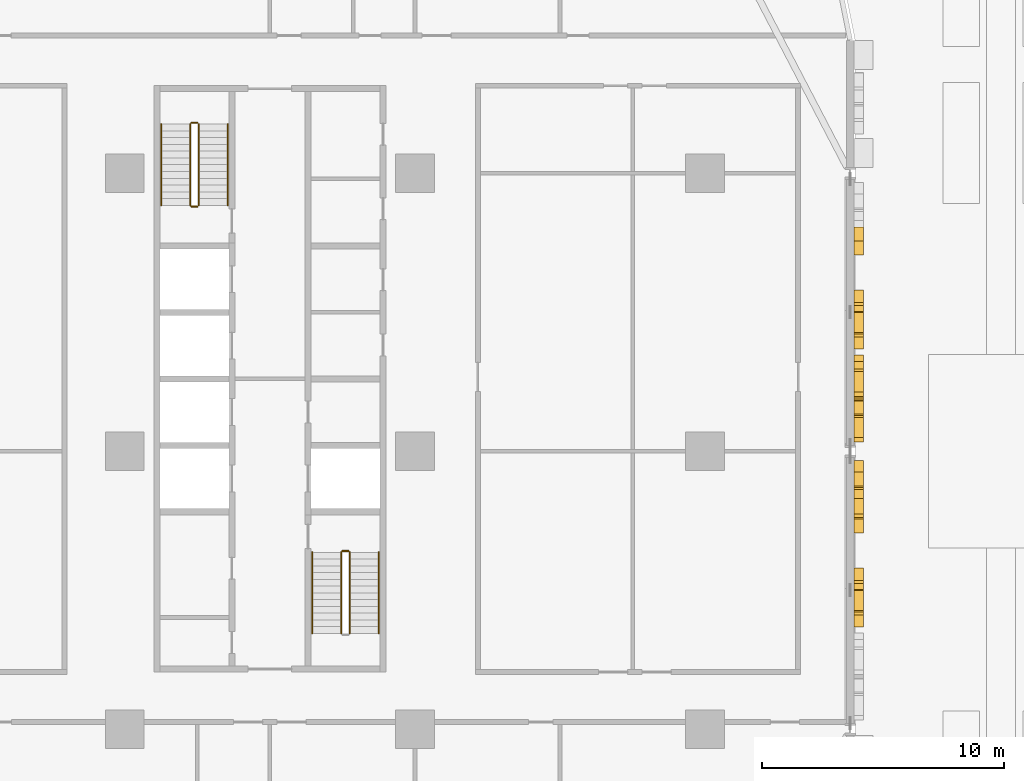
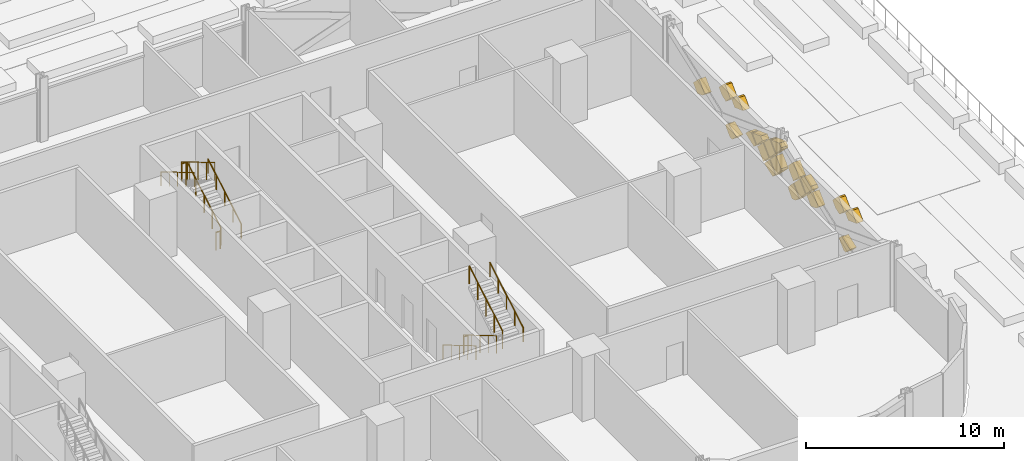
# One storey, part 37 of 39: 19 coverings, 11 railings.
"""IFC4 building model written with IfcOpenShell, lengths in metres."""

from ifc_helpers import new_model, si_unit, direction, frame, origin, origin_2d, place, context, subcontext, project, spatial, polyline, circle, outline, extrude, material, layer, layer_set, type_object, element, save


model = new_model("IFC4")

# Units and contexts
model_context = context("Model", 3, precision=1e-05, world=origin(), true_north=direction((0.0, 1.0)))
body_context = subcontext(model_context, "Body", "Model", "MODEL_VIEW")
ifc_project = project(units=[si_unit("LENGTHUNIT", "METRE"), si_unit("AREAUNIT", "SQUARE_METRE"), si_unit("VOLUMEUNIT", "CUBIC_METRE"), si_unit("PLANEANGLEUNIT", "RADIAN"), si_unit("MASSUNIT", "GRAM", prefix="KILO")], contexts=[model_context])

# Site, building, storey
site_placement = place(None, origin())
site = spatial("IfcSite", under=ifc_project, at=site_placement, CompositionType="ELEMENT")
building_placement = place(site_placement, origin())
building = spatial("IfcBuilding", under=site, at=building_placement, Name="Mahtab Terrace Research Tower", CompositionType="ELEMENT")
storey_placement = place(building_placement, frame((0.0, 0.0, 7.199951171875)))
storey = spatial("IfcBuildingStorey", under=building, at=storey_placement, Name="L01", CompositionType="ELEMENT", Elevation=7.199951171875)

# Coverings
ifc_material_1 = material(Name="Bronze anodised aluminium", Category="aluminium")
ifc_layer = layer(ifc_material_1, 0.39990234375)
ifc_layer_set = layer_set([ifc_layer], Name="Mashrabiya relief panel 400")
covering_type = type_object("IfcCoveringType", Name="Mashrabiya relief panel 400", PredefinedType="CLADDING", material=ifc_layer_set)
covering_1_placement = place(storey_placement, frame((48.14990234375, -6.12109375, 2.550048828125), z_axis=(-1.0, 0.0, 0.0), x_axis=(0.0, -0.707106781187, -0.707106781187)))
element("IfcCovering", 1, at=covering_1_placement, inside=storey, type_object=covering_type, Name="Mashrabiya lattice cell L01 E34.8", PredefinedType="CLADDING", context=body_context, shape_type="SweptSolid", body=[
    extrude(outline(polyline([(0.0, 0.0), (0.4170825154655027, 0.0), (0.7904887575813481, 0.820181718119455), (0.08752518019081534, 0.820181718119455), (-0.0001726334915005956, 0.732483904437139), (0.0, 0.0)])), origin(), (0.0, 0.0, -1.0), 0.39990234375),
])
covering_2_placement = place(storey_placement, frame((48.14990234375, -6.577880859375, 0.547119140625), z_axis=(-1.0, 0.0, 0.0), x_axis=(0.0, 0.936567319368, 0.350487740572)))
element("IfcCovering", 2, at=covering_2_placement, inside=storey, type_object=covering_type, Name="Mashrabiya lattice cell L01 E34.9", PredefinedType="CLADDING", context=body_context, shape_type="SweptSolid", body=[
    extrude(outline(polyline([(0.0, 0.0), (0.8839523248935043, 0.0), (0.9121147458943312, 0.024354935260809507), (1.0552861488575462, 0.3383487078732928), (0.4566924259117723, 0.6109272229142655), (0.24130023478749, 0.5303218880464642), (0.0, 0.0)])), origin(), (0.0, 0.0, -1.0), 0.39990234375),
])
covering_3_placement = place(storey_placement, frame((48.14990234375, -5.98095703125, 2.550048828125), z_axis=(-1.0, 0.0, 0.0), x_axis=(0.0, 0.707106781187, 0.707106781187)))
element("IfcCovering", 3, at=covering_3_placement, inside=storey, type_object=covering_type, Name="Mashrabiya lattice cell L01 E34.10", PredefinedType="CLADDING", context=body_context, shape_type="SweptSolid", body=[
    extrude(outline(polyline([(0.0, 0.0), (0.7326565379286396, 0.0), (0.820181718119455, 0.08752518019081534), (0.820181718119455, 0.820181718119455), (0.3761683779798553, 0.8201817181194551), (0.0, 0.6491019280423386), (0.0, 0.0)])), origin(), (0.0, 0.0, -1.0), 0.39990234375),
])
covering_4_placement = place(storey_placement, frame((48.14990234375, -3.381103515625, 1.25), z_axis=(-1.0, 0.0, 0.0), x_axis=(0.0, 0.707106781187, 0.707106781187)))
element("IfcCovering", 4, at=covering_4_placement, inside=storey, type_object=covering_type, Name="Mashrabiya lattice cell L01 E34.11", PredefinedType="CLADDING", context=body_context, shape_type="SweptSolid", body=[
    extrude(outline(polyline([(0.0, 0.0), (0.8203543516109556, 0.0), (0.8203543516109556, 0.8203543516109556), (0.2404784536603664, 0.8201817181194551), (0.0, 0.29278640158505487), (0.0, 0.0)])), origin(), (0.0, 0.0, -1.0), 0.39990234375),
])
covering_5_placement = place(storey_placement, frame((48.14990234375, -1.571044921875, 1.900146484375), z_axis=(-1.0, 0.0, 0.0), x_axis=(0.0, -0.706957932274, -0.707255598772)))
element("IfcCovering", 5, at=covering_5_placement, inside=storey, type_object=covering_type, Name="Mashrabiya lattice cell L01 E34.12", PredefinedType="CLADDING", context=body_context, shape_type="SweptSolid", body=[
    extrude(outline(polyline([(0.0, 0.0), (0.8201817362875763, 0.0), (0.8200090664636573, 0.8203543334390104), (0.6263142932905577, 0.8203135641750295), (-0.00011249700649262895, 0.534473277846628), (0.0, 0.0)])), origin(), (0.0, 0.0, -1.0), 0.39990234375),
])
covering_6_placement = place(storey_placement, frame((48.14990234375, -1.5009765625, 1.830078125), z_axis=(-1.0, 0.0, 0.0), x_axis=(0.0, 0.707106781187, -0.707106781187)))
element("IfcCovering", 6, at=covering_6_placement, inside=storey, type_object=covering_type, Name="Mashrabiya lattice cell L01 E34.13", PredefinedType="CLADDING", context=body_context, shape_type="SweptSolid", body=[
    extrude(outline(polyline([(0.0, 0.0), (0.8203543516109556, 0.0), (0.820181718119455, 0.820181718119455), (0.0, 0.8203543516109556), (0.0, 0.0)])), origin(), (0.0, 0.0, -1.0), 0.39990234375),
])
covering_7_placement = place(storey_placement, frame((48.14990234375, -1.430908203125, 0.60009765625), z_axis=(-1.0, 0.0, 0.0), x_axis=(0.0, 0.707106781187, 0.707106781187)))
element("IfcCovering", 7, at=covering_7_placement, inside=storey, type_object=covering_type, Name="Mashrabiya lattice cell L01 E34.14", PredefinedType="CLADDING", context=body_context, shape_type="SweptSolid", body=[
    extrude(outline(polyline([(0.0, 0.0), (0.8200090846279543, 0.0), (0.8201817181194551, 0.660323104989879), (0.660323104989879, 0.8201817181194551), (0.16244811550208527, 0.820181718119455), (0.0, 0.4709441648136967), (0.0, 0.0)])), origin(), (0.0, 0.0, -1.0), 0.39990234375),
])
covering_8_placement = place(storey_placement, frame((48.14990234375, -0.85107421875, 1.320068359375), z_axis=(-1.0, 0.0, 0.0), x_axis=(0.0, -0.706957932274, 0.707255598772)))
element("IfcCovering", 8, at=covering_8_placement, inside=storey, type_object=covering_type, Name="Mashrabiya lattice cell L01 E34.15", PredefinedType="CLADDING", context=body_context, shape_type="SweptSolid", body=[
    extrude(outline(polyline([(0.0, 0.0), (0.8201817362875763, 0.0), (0.8203543334390104, 0.8200090664636573), (0.15985860958849407, 0.8201480889271073), (0.00013902246344993374, 0.6604957238505165), (0.0, 0.0)])), origin(), (0.0, 0.0, -1.0), 0.39990234375),
])
covering_9_placement = place(storey_placement, frame((48.14990234375, 0.89892578125, 1.830078125), z_axis=(-1.0, 0.0, 0.0), x_axis=(0.0, 0.707106781187, -0.707106781187)))
element("IfcCovering", 9, at=covering_9_placement, inside=storey, type_object=covering_type, Name="Mashrabiya lattice cell L01 E35.1", PredefinedType="CLADDING", context=body_context, shape_type="SweptSolid", body=[
    extrude(outline(polyline([(0.0, 0.0), (0.8203543516109556, 0.0), (0.820181718119455, 0.820181718119455), (0.0920136509698315, 0.820181718119455), (0.0001726334915005956, 0.728340700641124), (0.0, 0.0)])), origin(), (0.0, 0.0, -1.0), 0.39990234375),
])
covering_10_placement = place(storey_placement, frame((48.14990234375, 0.89892578125, 1.969970703125), z_axis=(-1.0, 0.0, 0.0), x_axis=(0.0, -0.706939160764, 0.707274361884)))
element("IfcCovering", 10, at=covering_10_placement, inside=storey, type_object=covering_type, Name="Mashrabiya lattice cell L01 E35.2", PredefinedType="CLADDING", context=body_context, shape_type="SweptSolid", body=[
    extrude(outline(polyline([(0.0, 0.0), (0.728340721100177, 5.551115123125783e-17), (0.8202035044307674, 0.09181924646645268), (0.820436819467716, 0.3478346662523084), (0.00017095584433024502, 0.721262707229366), (0.0, 0.0)])), origin(), (0.0, 0.0, -1.0), 0.39990234375),
])
covering_11_placement = place(storey_placement, frame((48.14990234375, 0.968994140625, 0.60009765625), z_axis=(-1.0, 0.0, 0.0), x_axis=(0.0, 0.707255598772, 0.706957932274)))
element("IfcCovering", 11, at=covering_11_placement, inside=storey, type_object=covering_type, Name="Mashrabiya lattice cell L01 E35.3", PredefinedType="CLADDING", context=body_context, shape_type="SweptSolid", body=[
    extrude(outline(polyline([(0.0, 0.0), (0.8201817362875763, 0.0), (0.8203430692038642, 0.7664926852839239), (8.277396020356376e-05, 0.3932590849272024), (0.0, 0.0)])), origin(), (0.0, 0.0, -1.0), 0.39990234375),
])
covering_12_placement = place(storey_placement, frame((48.14990234375, 2.12890625, 1.900146484375), z_axis=(-1.0, 0.0, 0.0), x_axis=(0.0, -0.706957932274, -0.707255598772)))
element("IfcCovering", 12, at=covering_12_placement, inside=storey, type_object=covering_type, Name="Mashrabiya lattice cell L01 E35.4", PredefinedType="CLADDING", context=body_context, shape_type="SweptSolid", body=[
    extrude(outline(polyline([(0.0, 0.0), (0.8201817362875763, 0.0), (0.8200090664636573, 0.8203543334390104), (0.0535163811797334, 0.8201930005227225), (-0.00014788850659724906, 0.7026182948435968), (0.0, 0.0)])), origin(), (0.0, 0.0, -1.0), 0.39990234375),
])
covering_13_placement = place(storey_placement, frame((48.14990234375, 1.618896484375, 1.25), z_axis=(-1.0, 0.0, 0.0), x_axis=(0.0, 0.707106781187, 0.707106781187)))
element("IfcCovering", 13, at=covering_13_placement, inside=storey, type_object=covering_type, Name="Mashrabiya lattice cell L01 E35.5", PredefinedType="CLADDING", context=body_context, shape_type="SweptSolid", body=[
    extrude(outline(polyline([(0.0, 0.0), (0.8203543516109556, 0.0), (0.8203543516109556, 0.8203543516109556), (0.0001726334915005956, 0.8118953105274251), (0.0, 0.0)])), origin(), (0.0, 0.0, -1.0), 0.39990234375),
])
covering_14_placement = place(storey_placement, frame((48.14990234375, 2.84912109375, 1.320068359375), z_axis=(-1.0, 0.0, 0.0), x_axis=(0.0, -0.707106781187, 0.707106781187)))
element("IfcCovering", 14, at=covering_14_placement, inside=storey, type_object=covering_type, Name="Mashrabiya lattice cell L01 E35.6", PredefinedType="CLADDING", context=body_context, shape_type="SweptSolid", body=[
    extrude(outline(polyline([(0.0, 0.0), (0.8203543516109556, 0.0), (0.8203543516109555, 0.2658555769109578), (0.0, 0.6390891855353025), (0.0, 0.0)])), origin(), (0.0, 0.0, -1.0), 0.39990234375),
])
covering_15_placement = place(storey_placement, frame((48.14990234375, 2.9189453125, 1.25), z_axis=(-1.0, 0.0, 0.0), x_axis=(0.0, 0.707106781187, 0.707106781187)))
element("IfcCovering", 15, at=covering_15_placement, inside=storey, type_object=covering_type, Name="Mashrabiya lattice cell L01 E35.7", PredefinedType="CLADDING", context=body_context, shape_type="SweptSolid", body=[
    extrude(outline(polyline([(0.0, 0.0), (0.6846644272914667, 0.0), (0.8203543516109556, 0.2969296053810698), (0.820181718119455, 0.684491793799966), (0.0, 0.3110855516841208), (0.0, 0.0)])), origin(), (0.0, 0.0, -1.0), 0.39990234375),
])
covering_16_placement = place(storey_placement, frame((48.14990234375, 5.37890625, 2.550048828125), z_axis=(-1.0, 0.0, 0.0), x_axis=(0.0, -0.707106781187, -0.707106781187)))
element("IfcCovering", 16, at=covering_16_placement, inside=storey, type_object=covering_type, Name="Mashrabiya lattice cell L01 E35.8", PredefinedType="CLADDING", context=body_context, shape_type="SweptSolid", body=[
    extrude(outline(polyline([(0.0, 0.0), (0.4170825154655027, 0.0), (0.7904887575813481, 0.820181718119455), (0.08752518019081534, 0.820181718119455), (-0.0001726334915005956, 0.732483904437139), (0.0, 0.0)])), origin(), (0.0, 0.0, -1.0), 0.39990234375),
])
covering_17_placement = place(storey_placement, frame((48.14990234375, 4.922119140625, 0.547119140625), z_axis=(-1.0, 0.0, 0.0), x_axis=(0.0, 0.936567319368, 0.350487740572)))
element("IfcCovering", 17, at=covering_17_placement, inside=storey, type_object=covering_type, Name="Mashrabiya lattice cell L01 E35.9", PredefinedType="CLADDING", context=body_context, shape_type="SweptSolid", body=[
    extrude(outline(polyline([(0.0, 0.0), (0.8839523248935043, 0.0), (0.9121147458943312, 0.024354935260809507), (1.0552861488575462, 0.3383487078732928), (0.4566924259117723, 0.6109272229142655), (0.24130023478749, 0.5303218880464642), (0.0, 0.0)])), origin(), (0.0, 0.0, -1.0), 0.39990234375),
])
covering_18_placement = place(storey_placement, frame((48.14990234375, 5.51904296875, 2.550048828125), z_axis=(-1.0, 0.0, 0.0), x_axis=(0.0, 0.707106781187, 0.707106781187)))
element("IfcCovering", 18, at=covering_18_placement, inside=storey, type_object=covering_type, Name="Mashrabiya lattice cell L01 E35.10", PredefinedType="CLADDING", context=body_context, shape_type="SweptSolid", body=[
    extrude(outline(polyline([(0.0, 0.0), (0.7326565379286396, 0.0), (0.820181718119455, 0.08752518019081534), (0.820181718119455, 0.820181718119455), (0.3761683779798553, 0.8201817181194551), (0.0, 0.6491019280423386), (0.0, 0.0)])), origin(), (0.0, 0.0, -1.0), 0.39990234375),
])
covering_19_placement = place(storey_placement, frame((48.14990234375, 8.118896484375, 1.25), z_axis=(-1.0, 0.0, 0.0), x_axis=(0.0, 0.707106781187, 0.707106781187)))
element("IfcCovering", 19, at=covering_19_placement, inside=storey, type_object=covering_type, Name="Mashrabiya lattice cell L01 E35.11", PredefinedType="CLADDING", context=body_context, shape_type="SweptSolid", body=[
    extrude(outline(polyline([(0.0, 0.0), (0.8203543516109556, 0.0), (0.8203543516109556, 0.8203543516109556), (0.2404784536603664, 0.8201817181194551), (0.0, 0.29278640158505487), (0.0, 0.0)])), origin(), (0.0, 0.0, -1.0), 0.39990234375),
])

# Railings
ifc_material_2 = material(Name="Stainless steel AISI 304", Category="steel")
railing_type_1 = type_object("IfcRailingType", Name="Stair guard 1100", PredefinedType="GUARDRAIL", material=ifc_material_2)
railing_1_placement = place(storey_placement, frame((21.050048828125, 10.175048828125, 0.16552734375)))
element("IfcRailing", 20, at=railing_1_placement, inside=storey, type_object=railing_type_1, Name="L01 ST3 stair guard 1", PredefinedType="GUARDRAIL", context=body_context, shape_type="SweptSolid", body=[
    extrude(circle(Radius=0.02392578125, at=origin_2d()), frame((0.0, 0.0, 1.076171875), z_axis=(0.0, 0.861011212953, 0.508585972249), x_axis=(-1.0, 0.0, 0.0)), (0.0, 0.0, 1.0), 3.90234375),
    extrude(circle(Radius=0.02099609375, at=origin_2d()), origin(), (0.0, 0.0, 1.0), 1.052001953125),
    extrude(circle(Radius=0.02099609375, at=origin_2d()), frame((0.0, 0.83984375, 0.49609375)), (0.0, 0.0, 1.0), 1.052001953125),
    extrude(circle(Radius=0.02099609375, at=origin_2d()), frame((0.0, 1.679931640625, 0.9921875)), (0.0, 0.0, 1.0), 1.052001953125),
    extrude(circle(Radius=0.02099609375, at=origin_2d()), frame((0.0, 2.52001953125, 1.488525390625)), (0.0, 0.0, 1.0), 1.052001953125),
    extrude(circle(Radius=0.02099609375, at=origin_2d()), frame((0.0, 3.35986328125, 1.984619140625)), (0.0, 0.0, 1.0), 1.052001953125),
])
railing_2_placement = place(storey_placement, frame((21.0, 13.5849609375, 2.150146484375)))
element("IfcRailing", 21, at=railing_2_placement, inside=storey, type_object=railing_type_1, Name="L01 ST3 stair guard 2", PredefinedType="GUARDRAIL", context=body_context, shape_type="SweptSolid", body=[
    extrude(circle(Radius=0.02392578125, at=origin_2d()), frame((0.0, 0.0, 1.076171875), z_axis=(-1.0, 0.0, 0.0), x_axis=(0.0, -1.0, 0.0)), (0.0, 0.0, 1.0), 0.25),
    extrude(circle(Radius=0.02099609375, at=origin_2d()), origin(), (0.0, 0.0, 1.0), 1.052001953125),
    extrude(circle(Radius=0.02099609375, at=origin_2d()), frame((-0.25, 0.0, 0.0)), (0.0, 0.0, 1.0), 1.052001953125),
])
railing_3_placement = place(storey_placement, frame((20.699951171875, 13.534912109375, 2.3154296875)))
element("IfcRailing", 22, at=railing_3_placement, inside=storey, type_object=railing_type_1, Name="L01 ST3 stair guard 3", PredefinedType="GUARDRAIL", context=body_context, shape_type="SweptSolid", body=[
    extrude(circle(Radius=0.02392578125, at=origin_2d()), frame((0.0, 0.0, 1.076171875), z_axis=(0.0, -0.861011212953, 0.508585972249), x_axis=(1.0, 0.0, 0.0)), (0.0, 0.0, 1.0), 3.90234375),
    extrude(circle(Radius=0.02099609375, at=origin_2d()), origin(), (0.0, 0.0, 1.0), 1.052001953125),
    extrude(circle(Radius=0.02099609375, at=origin_2d()), frame((0.0, -0.83984375, 0.49609375)), (0.0, 0.0, 1.0), 1.052001953125),
    extrude(circle(Radius=0.02099609375, at=origin_2d()), frame((0.0, -1.679931640625, 0.9921875)), (0.0, 0.0, 1.0), 1.052001953125),
    extrude(circle(Radius=0.02099609375, at=origin_2d()), frame((0.0, -2.52001953125, 1.488525390625)), (0.0, 0.0, 1.0), 1.052001953125),
    extrude(circle(Radius=0.02099609375, at=origin_2d()), frame((0.0, -3.35986328125, 1.984619140625)), (0.0, 0.0, 1.0), 1.052001953125),
])
railing_4_placement = place(storey_placement, frame((21.0, 10.125, 0.0)))
element("IfcRailing", 23, at=railing_4_placement, inside=storey, type_object=railing_type_1, Name="L01 ST3 stair guard 4", PredefinedType="GUARDRAIL", context=body_context, shape_type="SweptSolid", body=[
    extrude(circle(Radius=0.02392578125, at=origin_2d()), frame((0.0, 0.0, 1.076171875), z_axis=(-1.0, 0.0, 0.0), x_axis=(0.0, -1.0, 0.0)), (0.0, 0.0, 1.0), 0.25),
    extrude(circle(Radius=0.02099609375, at=origin_2d()), origin(), (0.0, 0.0, 1.0), 1.052001953125),
    extrude(circle(Radius=0.02099609375, at=origin_2d()), frame((-0.25, 0.0, 0.0)), (0.0, 0.0, 1.0), 1.052001953125),
])
railing_5_placement = place(storey_placement, frame((26.949951171875, -4.175048828125, 0.16552734375)))
element("IfcRailing", 24, at=railing_5_placement, inside=storey, type_object=railing_type_1, Name="L01 ST4 stair guard 1", PredefinedType="GUARDRAIL", context=body_context, shape_type="SweptSolid", body=[
    extrude(circle(Radius=0.02392578125, at=origin_2d()), frame((0.0, 0.0, 1.076171875), z_axis=(0.0, -0.861011212953, 0.508585972249), x_axis=(1.0, 0.0, 0.0)), (0.0, 0.0, 1.0), 3.90234375),
    extrude(circle(Radius=0.02099609375, at=origin_2d()), origin(), (0.0, 0.0, 1.0), 1.052001953125),
    extrude(circle(Radius=0.02099609375, at=origin_2d()), frame((0.0, -0.83984375, 0.49609375)), (0.0, 0.0, 1.0), 1.052001953125),
    extrude(circle(Radius=0.02099609375, at=origin_2d()), frame((0.0, -1.679931640625, 0.9921875)), (0.0, 0.0, 1.0), 1.052001953125),
    extrude(circle(Radius=0.02099609375, at=origin_2d()), frame((0.0, -2.52001953125, 1.488525390625)), (0.0, 0.0, 1.0), 1.052001953125),
    extrude(circle(Radius=0.02099609375, at=origin_2d()), frame((0.0, -3.35986328125, 1.984619140625)), (0.0, 0.0, 1.0), 1.052001953125),
])
railing_6_placement = place(storey_placement, frame((27.300048828125, -7.534912109375, 2.3154296875)))
element("IfcRailing", 25, at=railing_6_placement, inside=storey, type_object=railing_type_1, Name="L01 ST4 stair guard 3", PredefinedType="GUARDRAIL", context=body_context, shape_type="SweptSolid", body=[
    extrude(circle(Radius=0.02392578125, at=origin_2d()), frame((0.0, 0.0, 1.076171875), z_axis=(0.0, 0.861011212953, 0.508585972249), x_axis=(-1.0, 0.0, 0.0)), (0.0, 0.0, 1.0), 3.90234375),
    extrude(circle(Radius=0.02099609375, at=origin_2d()), origin(), (0.0, 0.0, 1.0), 1.052001953125),
    extrude(circle(Radius=0.02099609375, at=origin_2d()), frame((0.0, 0.83984375, 0.49609375)), (0.0, 0.0, 1.0), 1.052001953125),
    extrude(circle(Radius=0.02099609375, at=origin_2d()), frame((0.0, 1.679931640625, 0.9921875)), (0.0, 0.0, 1.0), 1.052001953125),
    extrude(circle(Radius=0.02099609375, at=origin_2d()), frame((0.0, 2.52001953125, 1.488525390625)), (0.0, 0.0, 1.0), 1.052001953125),
    extrude(circle(Radius=0.02099609375, at=origin_2d()), frame((0.0, 3.35986328125, 1.984619140625)), (0.0, 0.0, 1.0), 1.052001953125),
])
railing_7_placement = place(storey_placement, frame((27.0, -4.125, 0.0)))
element("IfcRailing", 26, at=railing_7_placement, inside=storey, type_object=railing_type_1, Name="L01 ST4 stair guard 4", PredefinedType="GUARDRAIL", context=body_context, shape_type="SweptSolid", body=[
    extrude(circle(Radius=0.02392578125, at=origin_2d()), frame((0.0, 0.0, 1.076171875), z_axis=(1.0, 0.0, 0.0), x_axis=(0.0, 1.0, 0.0)), (0.0, 0.0, 1.0), 0.25),
    extrude(circle(Radius=0.02099609375, at=origin_2d()), origin(), (0.0, 0.0, 1.0), 1.052001953125),
    extrude(circle(Radius=0.02099609375, at=origin_2d()), frame((0.25, 0.0, 0.0)), (0.0, 0.0, 1.0), 1.052001953125),
])
railing_type_2 = type_object("IfcRailingType", Name="Stair handrail 900", PredefinedType="HANDRAIL", material=ifc_material_2)
railing_8_placement = place(storey_placement, frame((22.25, 10.175048828125, 0.16552734375)))
element("IfcRailing", 27, at=railing_8_placement, inside=storey, type_object=railing_type_2, Name="L01 ST3 stair handrail 1", PredefinedType="HANDRAIL", context=body_context, shape_type="SweptSolid", body=[
    extrude(circle(Radius=0.02392578125, at=origin_2d()), frame((0.0, 0.0, 0.8759765625), z_axis=(0.0, 0.861011212953, 0.508585972249), x_axis=(-1.0, 0.0, 0.0)), (0.0, 0.0, 1.0), 3.90234375),
    extrude(circle(Radius=0.02099609375, at=origin_2d()), origin(), (0.0, 0.0, 1.0), 0.851806640625),
    extrude(circle(Radius=0.02099609375, at=origin_2d()), frame((0.0, 0.83984375, 0.49609375)), (0.0, 0.0, 1.0), 0.851806640625),
    extrude(circle(Radius=0.02099609375, at=origin_2d()), frame((0.0, 1.679931640625, 0.9921875)), (0.0, 0.0, 1.0), 0.851806640625),
    extrude(circle(Radius=0.02099609375, at=origin_2d()), frame((0.0, 2.52001953125, 1.488525390625)), (0.0, 0.0, 1.0), 0.851806640625),
    extrude(circle(Radius=0.02099609375, at=origin_2d()), frame((0.0, 3.35986328125, 1.984619140625)), (0.0, 0.0, 1.0), 0.851806640625),
])
for number, where, name in (
    (28, (19.5, 13.534912109375, 2.3154296875), "L01 ST3 stair handrail 2"),
    (29, (25.75, -4.175048828125, 0.16552734375), "L01 ST4 stair handrail 1"),
):
    element("IfcRailing", number, at=place(storey_placement, frame(where)), inside=storey, type_object=railing_type_2, Name=name, PredefinedType="HANDRAIL", context=body_context, shape_type="SweptSolid", body=[
        extrude(circle(Radius=0.02392578125, at=origin_2d()), frame((0.0, 0.0, 0.8759765625), z_axis=(0.0, -0.861011212953, 0.508585972249), x_axis=(1.0, 0.0, 0.0)), (0.0, 0.0, 1.0), 3.90234375),
        extrude(circle(Radius=0.02099609375, at=origin_2d()), origin(), (0.0, 0.0, 1.0), 0.851806640625),
        extrude(circle(Radius=0.02099609375, at=origin_2d()), frame((0.0, -0.83984375, 0.49609375)), (0.0, 0.0, 1.0), 0.851806640625),
        extrude(circle(Radius=0.02099609375, at=origin_2d()), frame((0.0, -1.679931640625, 0.9921875)), (0.0, 0.0, 1.0), 0.851806640625),
        extrude(circle(Radius=0.02099609375, at=origin_2d()), frame((0.0, -2.52001953125, 1.488525390625)), (0.0, 0.0, 1.0), 0.851806640625),
        extrude(circle(Radius=0.02099609375, at=origin_2d()), frame((0.0, -3.35986328125, 1.984619140625)), (0.0, 0.0, 1.0), 0.851806640625),
    ])
railing_9_placement = place(storey_placement, frame((28.5, -7.534912109375, 2.3154296875)))
element("IfcRailing", 30, at=railing_9_placement, inside=storey, type_object=railing_type_2, Name="L01 ST4 stair handrail 2", PredefinedType="HANDRAIL", context=body_context, shape_type="SweptSolid", body=[
    extrude(circle(Radius=0.02392578125, at=origin_2d()), frame((0.0, 0.0, 0.8759765625), z_axis=(0.0, 0.861011212953, 0.508585972249), x_axis=(-1.0, 0.0, 0.0)), (0.0, 0.0, 1.0), 3.90234375),
    extrude(circle(Radius=0.02099609375, at=origin_2d()), origin(), (0.0, 0.0, 1.0), 0.851806640625),
    extrude(circle(Radius=0.02099609375, at=origin_2d()), frame((0.0, 0.83984375, 0.49609375)), (0.0, 0.0, 1.0), 0.851806640625),
    extrude(circle(Radius=0.02099609375, at=origin_2d()), frame((0.0, 1.679931640625, 0.9921875)), (0.0, 0.0, 1.0), 0.851806640625),
    extrude(circle(Radius=0.02099609375, at=origin_2d()), frame((0.0, 2.52001953125, 1.488525390625)), (0.0, 0.0, 1.0), 0.851806640625),
    extrude(circle(Radius=0.02099609375, at=origin_2d()), frame((0.0, 3.35986328125, 1.984619140625)), (0.0, 0.0, 1.0), 0.851806640625),
])

save(model, "model.ifc")
